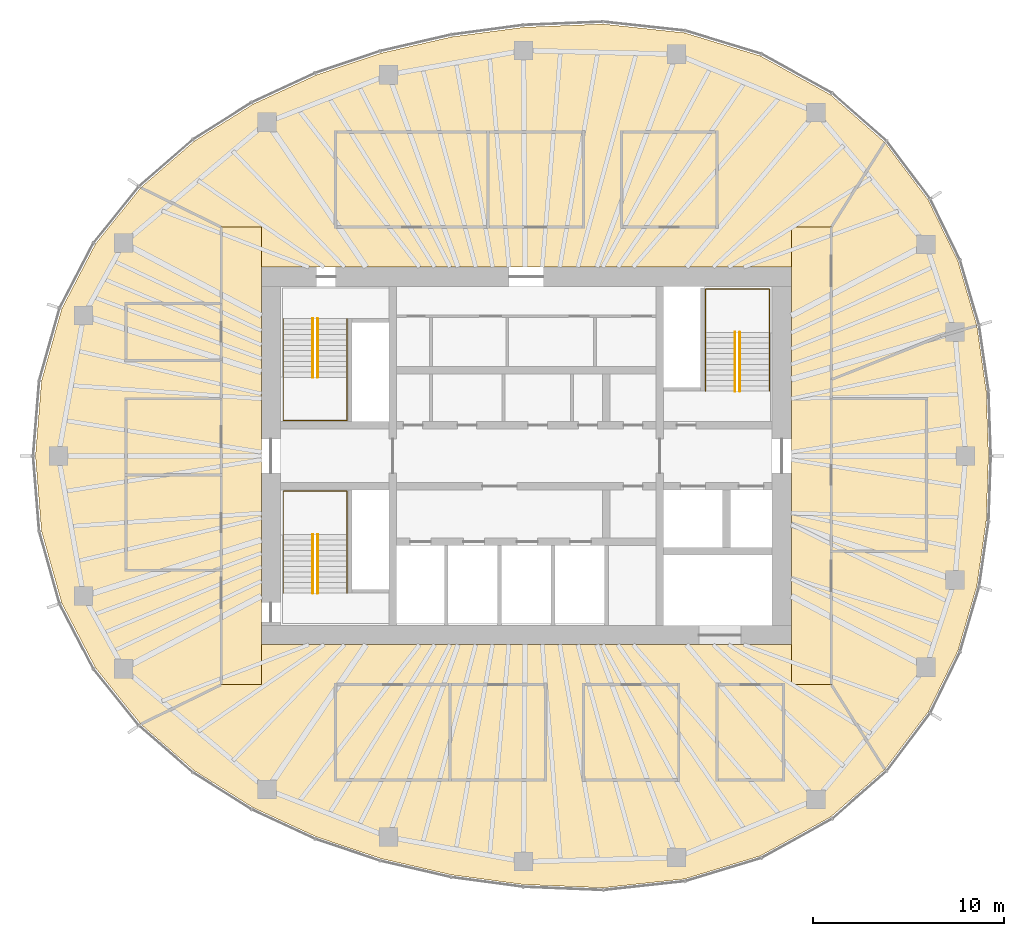
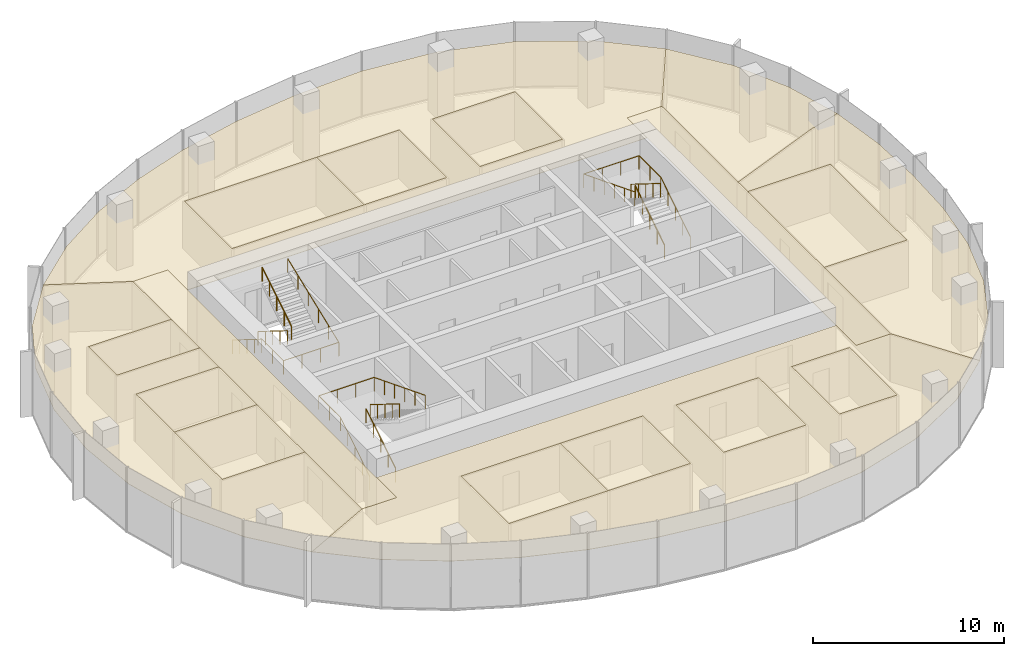
# One storey, part 11 of 11: 18 coverings, 9 railings.
"""IFC4 building model written with IfcOpenShell, lengths in metres."""

from ifc_helpers import new_model, si_unit, direction, frame, origin, origin_2d, place, context, subcontext, project, spatial, polyline, circle, outline, extrude, material, layer, layer_set, type_object, element, save


model = new_model("IFC4")

# Units and contexts
model_context = context("Model", 3, precision=1e-05, world=origin(), true_north=direction((0.0, 1.0)))
body_context = subcontext(model_context, "Body", "Model", "MODEL_VIEW")
ifc_project = project(units=[si_unit("LENGTHUNIT", "METRE"), si_unit("AREAUNIT", "SQUARE_METRE"), si_unit("VOLUMEUNIT", "CUBIC_METRE"), si_unit("PLANEANGLEUNIT", "RADIAN"), si_unit("MASSUNIT", "GRAM", prefix="KILO")], contexts=[model_context])

# Site, building, storey
site_placement = place(None, origin())
site = spatial("IfcSite", under=ifc_project, at=site_placement, CompositionType="ELEMENT")
building_placement = place(site_placement, origin())
building = spatial("IfcBuilding", under=site, at=building_placement, Name="Ghaith Harvest Tower", CompositionType="ELEMENT")
storey_placement = place(building_placement, frame((0.0, 0.0, 330.0)))
storey = spatial("IfcBuildingStorey", under=building, at=storey_placement, Name="L74", CompositionType="ELEMENT", Elevation=330.0)

# Coverings
ifc_material_1 = material(Name="Mineral fibre ceiling tile", Category="gypsum")
ifc_layer = layer(ifc_material_1, 0.02490234375)
ifc_layer_set = layer_set([ifc_layer], Name="CEILING C2")
covering_type = type_object("IfcCoveringType", Name="CEILING C2", PredefinedType="CEILING", material=ifc_layer_set)
covering_1_placement = place(storey_placement, frame((0.0, 0.0, 3.0)))
element("IfcCovering", 1, at=covering_1_placement, inside=storey, type_object=covering_type, Name="Ceiling L74-01", PredefinedType="CEILING", context=body_context, shape_type="SweptSolid", body=[
    extrude(outline(polyline([(-10.0, 12.0), (-2.0, 12.0), (-2.0, 17.0), (-10.0, 17.0), (-10.0, 12.0)])), origin(), (0.0, 0.0, 1.0), 0.02490234375),
])
covering_2_placement = place(storey_placement, frame((0.0, 0.0, 3.0)))
element("IfcCovering", 2, at=covering_2_placement, inside=storey, type_object=covering_type, Name="Ceiling L74-02", PredefinedType="CEILING", context=body_context, shape_type="SweptSolid", body=[
    extrude(outline(polyline([(-2.0, 12.0), (3.0, 12.0), (3.0, 17.0), (-2.0, 17.0), (-2.0, 12.0)])), origin(), (0.0, 0.0, 1.0), 0.02490234375),
])
covering_3_placement = place(storey_placement, frame((0.0, 0.0, 3.0)))
element("IfcCovering", 3, at=covering_3_placement, inside=storey, type_object=covering_type, Name="Ceiling L74-03", PredefinedType="CEILING", context=body_context, shape_type="SweptSolid", body=[
    extrude(outline(polyline([(5.0, 12.0), (10.0, 12.0), (10.0, 17.0), (5.0, 17.0), (5.0, 12.0)])), origin(), (0.0, 0.0, 1.0), 0.02490234375),
])
covering_4_placement = place(storey_placement, frame((0.0, 0.0, 3.0)))
element("IfcCovering", 4, at=covering_4_placement, inside=storey, type_object=covering_type, Name="Ceiling L74-04", PredefinedType="CEILING", context=body_context, shape_type="SweptSolid", body=[
    extrude(outline(polyline([(-10.0, -17.0), (-4.0, -17.0), (-4.0, -12.0), (-10.0, -12.0), (-10.0, -17.0)])), origin(), (0.0, 0.0, 1.0), 0.02490234375),
])
covering_5_placement = place(storey_placement, frame((0.0, 0.0, 3.0)))
element("IfcCovering", 5, at=covering_5_placement, inside=storey, type_object=covering_type, Name="Ceiling L74-05", PredefinedType="CEILING", context=body_context, shape_type="SweptSolid", body=[
    extrude(outline(polyline([(-4.0, -17.0), (1.0, -17.0), (1.0, -12.0), (-4.0, -12.0), (-4.0, -17.0)])), origin(), (0.0, 0.0, 1.0), 0.02490234375),
])
covering_6_placement = place(storey_placement, frame((0.0, 0.0, 3.0)))
element("IfcCovering", 6, at=covering_6_placement, inside=storey, type_object=covering_type, Name="Ceiling L74-06", PredefinedType="CEILING", context=body_context, shape_type="SweptSolid", body=[
    extrude(outline(polyline([(3.0, -17.0), (8.0, -17.0), (8.0, -12.0), (3.0, -12.0), (3.0, -17.0)])), origin(), (0.0, 0.0, 1.0), 0.02490234375),
])
covering_7_placement = place(storey_placement, frame((0.0, 0.0, 3.0)))
element("IfcCovering", 7, at=covering_7_placement, inside=storey, type_object=covering_type, Name="Ceiling L74-07", PredefinedType="CEILING", context=body_context, shape_type="SweptSolid", body=[
    extrude(outline(polyline([(-21.0, -6.0), (-16.0, -6.0), (-16.0, -1.0), (-21.0, -1.0), (-21.0, -6.0)])), origin(), (0.0, 0.0, 1.0), 0.02490234375),
])
covering_8_placement = place(storey_placement, frame((0.0, 0.0, 3.0)))
element("IfcCovering", 8, at=covering_8_placement, inside=storey, type_object=covering_type, Name="Ceiling L74-08", PredefinedType="CEILING", context=body_context, shape_type="SweptSolid", body=[
    extrude(outline(polyline([(-21.0, -1.0), (-16.0, -1.0), (-16.0, 3.0), (-21.0, 3.0), (-21.0, -1.0)])), origin(), (0.0, 0.0, 1.0), 0.02490234375),
])
covering_9_placement = place(storey_placement, frame((0.0, 0.0, 3.0)))
element("IfcCovering", 9, at=covering_9_placement, inside=storey, type_object=covering_type, Name="Ceiling L74-09", PredefinedType="CEILING", context=body_context, shape_type="SweptSolid", body=[
    extrude(outline(polyline([(16.0, -5.0), (21.0, -5.0), (21.0, 3.0), (16.0, 3.0), (16.0, -5.0)])), origin(), (0.0, 0.0, 1.0), 0.02490234375),
])
covering_10_placement = place(storey_placement, frame((0.0, 0.0, 3.0)))
element("IfcCovering", 10, at=covering_10_placement, inside=storey, type_object=covering_type, Name="Ceiling L74-10", PredefinedType="CEILING", context=body_context, shape_type="SweptSolid", body=[
    extrude(outline(polyline([(10.0, -17.0), (13.5, -17.0), (13.5, -12.0), (10.0, -12.0), (10.0, -17.0)])), origin(), (0.0, 0.0, 1.0), 0.02490234375),
])
covering_11_placement = place(storey_placement, frame((0.0, 0.0, 3.0)))
element("IfcCovering", 11, at=covering_11_placement, inside=storey, type_object=covering_type, Name="Ceiling L74-11", PredefinedType="CEILING", context=body_context, shape_type="SweptSolid", body=[
    extrude(outline(polyline([(-21.0, 5.0), (-16.0, 5.0), (-16.0, 8.0), (-21.0, 8.0), (-21.0, 5.0)])), origin(), (0.0, 0.0, 1.0), 0.02490234375),
])
covering_12_placement = place(storey_placement, frame((0.0, 0.0, 3.0)))
element("IfcCovering", 12, at=covering_12_placement, inside=storey, type_object=covering_type, Name="Ceiling L74-C1", PredefinedType="CEILING", context=body_context, shape_type="SweptSolid", body=[
    extrude(outline(polyline([(13.89990234375, -12.0), (13.89990234375, 12.0), (16.0, 12.0), (16.0, -12.0), (13.89990234375, -12.0)])), origin(), (0.0, 0.0, 1.0), 0.02490234375),
])
covering_13_placement = place(storey_placement, frame((0.0, 0.0, 3.0)))
element("IfcCovering", 13, at=covering_13_placement, inside=storey, type_object=covering_type, Name="Ceiling L74-C2", PredefinedType="CEILING", context=body_context, shape_type="SweptSolid", body=[
    extrude(outline(polyline([(-13.89990234375, 12.0), (-13.89990234375, -12.0), (-16.0, -12.0), (-16.0, 12.0), (-13.89990234375, 12.0)])), origin(), (0.0, 0.0, 1.0), 0.02490234375),
])
covering_14_placement = place(storey_placement, frame((0.0, 0.0, 3.0)))
element("IfcCovering", 14, at=covering_14_placement, inside=storey, type_object=covering_type, Name="Ceiling L74-N1", PredefinedType="CEILING", context=body_context, shape_type="SweptSolid", body=[
    extrude(outline(polyline([(-17.40771484375, 16.518310546875), (-14.331298828125, 18.452880859375), (-11.009521484375, 19.98779296875), (-7.6298828125, 21.12548828125), (-3.92529296875, 21.98046875), (-0.15380859375, 22.486083984375), (4.016845703125, 22.658447265625), (8.2978515625, 22.1962890625), (12.273681640625, 20.98828125), (15.971923828125, 18.940185546875), (18.810791015625, 16.4482421875), (16.0, 12.0), (13.89990234375, 12.0), (13.89990234375, 9.89990234375), (-13.89990234375, 9.89990234375), (-13.89990234375, 12.0), (-16.0, 12.0), (-20.225830078125, 14.0732421875), (-17.40771484375, 16.518310546875)]), holes=[polyline([(3.0, 17.0), (-10.0, 17.0), (-10.0, 12.0), (3.0, 12.0), (3.0, 17.0)]), polyline([(5.0, 17.0), (5.0, 12.0), (10.0, 12.0), (10.0, 17.0), (5.0, 17.0)])]), origin(), (0.0, 0.0, 1.0), 0.02490234375),
])
covering_15_placement = place(storey_placement, frame((0.0, 0.0, 3.0)))
element("IfcCovering", 15, at=covering_15_placement, inside=storey, type_object=covering_type, Name="Ceiling L74-E1", PredefinedType="CEILING", context=body_context, shape_type="SweptSolid", body=[
    extrude(outline(polyline([(21.087890625, 13.42041015625), (22.644775390625, 10.222900390625), (23.6376953125, 6.831787109375), (21.71630859375, 6.276611328125), (16.0, 4.0), (16.0, 12.0), (18.810791015625, 16.4482421875), (21.087890625, 13.42041015625)])), origin(), (0.0, 0.0, 1.0), 0.02490234375),
])
covering_16_placement = place(storey_placement, frame((0.0, 0.0, 3.0)))
element("IfcCovering", 16, at=covering_16_placement, inside=storey, type_object=covering_type, Name="Ceiling L74-E2", PredefinedType="CEILING", context=body_context, shape_type="SweptSolid", body=[
    extrude(outline(polyline([(23.6376953125, 6.831787109375), (23.6376953125, 6.831787109375), (24.129150390625, 3.4169921875), (24.25, 0.0), (24.129150390625, -3.4169921875), (23.6376953125, -6.831787109375), (22.644775390625, -10.222900390625), (21.087890625, -13.42041015625), (18.810791015625, -16.4482421875), (16.0, -12.0), (16.0, -5.0), (21.0, -5.0), (21.0, 3.0), (16.0, 3.0), (16.0, 4.0), (21.71630859375, 6.276611328125), (23.6376953125, 6.831787109375)])), origin(), (0.0, 0.0, 1.0), 0.02490234375),
])
covering_17_placement = place(storey_placement, frame((0.0, 0.0, 3.0)))
element("IfcCovering", 17, at=covering_17_placement, inside=storey, type_object=covering_type, Name="Ceiling L74-S1", PredefinedType="CEILING", context=body_context, shape_type="SweptSolid", body=[
    extrude(outline(polyline([(-14.331298828125, -18.452880859375), (-17.40771484375, -16.518310546875), (-20.225830078125, -14.0732421875), (-16.0, -12.0), (-13.89990234375, -12.0), (-13.89990234375, -9.89990234375), (13.89990234375, -9.89990234375), (13.89990234375, -12.0), (16.0, -12.0), (18.810791015625, -16.4482421875), (15.971923828125, -18.940185546875), (12.273681640625, -20.98828125), (8.2978515625, -22.1962890625), (4.016845703125, -22.658447265625), (-0.15380859375, -22.486083984375), (-3.92529296875, -21.98046875), (-7.6298828125, -21.12548828125), (-11.009521484375, -19.98779296875), (-14.331298828125, -18.452880859375)]), holes=[polyline([(-10.0, -17.0), (1.0, -17.0), (1.0, -12.0), (-10.0, -12.0), (-10.0, -17.0)]), polyline([(3.0, -17.0), (8.0, -17.0), (8.0, -12.0), (3.0, -12.0), (3.0, -17.0)]), polyline([(10.0, -17.0), (13.5, -17.0), (13.5, -12.0), (10.0, -12.0), (10.0, -17.0)])]), origin(), (0.0, 0.0, 1.0), 0.02490234375),
])
covering_18_placement = place(storey_placement, frame((0.0, 0.0, 3.0)))
element("IfcCovering", 18, at=covering_18_placement, inside=storey, type_object=covering_type, Name="Ceiling L74-W1", PredefinedType="CEILING", context=body_context, shape_type="SweptSolid", body=[
    extrude(outline(polyline([(-22.5986328125, -11.12353515625), (-24.368408203125, -7.722900390625), (-25.43310546875, -3.93359375), (-25.75, 0.0), (-25.43310546875, 3.93359375), (-24.368408203125, 7.722900390625), (-22.5986328125, 11.12353515625), (-20.225830078125, 14.0732421875), (-16.0, 12.0), (-16.0, 8.0), (-21.0, 8.0), (-21.0, 5.0), (-16.0, 5.0), (-16.0, 3.0), (-21.0, 3.0), (-21.0, -6.0), (-16.0, -6.0), (-16.0, -12.0), (-20.225830078125, -14.0732421875), (-22.5986328125, -11.12353515625)])), origin(), (0.0, 0.0, 1.0), 0.02490234375),
])

# Railings
ifc_material_2 = material(Name="Steel, black powder-coated", Category="steel")
railing_type = type_object("IfcRailingType", Name="HANDRAIL HR1", PredefinedType="HANDRAIL", material=ifc_material_2)
railing_1_placement = place(storey_placement, frame((-11.199951171875, 7.199951171875, 0.175048828125)))
element("IfcRailing", 19, at=railing_1_placement, inside=storey, type_object=railing_type, Name="Handrail HR1 stair ST1 L74 flight 1 inner", PredefinedType="HANDRAIL", context=body_context, shape_type="SweptSolid", body=[
    extrude(circle(Radius=0.02392578125, at=origin_2d()), frame((0.0, 0.0, 0.8759765625), z_axis=(0.0, -0.847979421464, 0.530029150871), x_axis=(1.0, 0.0, 0.0)), (0.0, 0.0, 1.0), 3.632080078125),
    extrude(circle(Radius=0.02099609375, at=origin_2d()), origin(), (0.0, 0.0, 1.0), 0.851806640625),
    extrude(circle(Radius=0.02099609375, at=origin_2d()), frame((0.0, -0.77001953125, 0.481201171875)), (0.0, 0.0, 1.0), 0.851806640625),
    extrude(circle(Radius=0.02099609375, at=origin_2d()), frame((0.0, -1.5400390625, 0.96240234375)), (0.0, 0.0, 1.0), 0.851806640625),
    extrude(circle(Radius=0.02099609375, at=origin_2d()), frame((0.0, -2.309814453125, 1.44384765625)), (0.0, 0.0, 1.0), 0.851806640625),
    extrude(circle(Radius=0.02099609375, at=origin_2d()), frame((0.0, -3.079833984375, 1.925048828125)), (0.0, 0.0, 1.0), 0.851806640625),
])
railing_2_placement = place(storey_placement, frame((-10.949951171875, 4.1201171875, 2.27490234375)))
element("IfcRailing", 20, at=railing_2_placement, inside=storey, type_object=railing_type, Name="Handrail HR1 stair ST1 L74 flight 2 inner", PredefinedType="HANDRAIL", context=body_context, shape_type="SweptSolid", body=[
    extrude(circle(Radius=0.02392578125, at=origin_2d()), frame((0.0, 0.0, 0.8759765625), z_axis=(0.0, 0.847979421464, 0.530029150871), x_axis=(-1.0, 0.0, 0.0)), (0.0, 0.0, 1.0), 3.632080078125),
    extrude(circle(Radius=0.02099609375, at=origin_2d()), origin(), (0.0, 0.0, 1.0), 0.851806640625),
    extrude(circle(Radius=0.02099609375, at=origin_2d()), frame((0.0, 0.77001953125, 0.481201171875)), (0.0, 0.0, 1.0), 0.851806640625),
    extrude(circle(Radius=0.02099609375, at=origin_2d()), frame((0.0, 1.5400390625, 0.96240234375)), (0.0, 0.0, 1.0), 0.851806640625),
    extrude(circle(Radius=0.02099609375, at=origin_2d()), frame((0.0, 2.309814453125, 1.44384765625)), (0.0, 0.0, 1.0), 0.851806640625),
    extrude(circle(Radius=0.02099609375, at=origin_2d()), frame((0.0, 3.079833984375, 1.925048828125)), (0.0, 0.0, 1.0), 0.851806640625),
])
railing_3_placement = place(storey_placement, frame((-12.75, 7.199951171875, 0.175048828125)))
element("IfcRailing", 21, at=railing_3_placement, inside=storey, type_object=railing_type, Name="Handrail HR1 stair ST1 L74 wall side", PredefinedType="HANDRAIL", context=body_context, shape_type="SweptSolid", body=[
    extrude(circle(Radius=0.02392578125, at=origin_2d()), frame((0.0, 0.0, 0.8759765625), z_axis=(0.0, -0.847979421464, 0.530029150871), x_axis=(1.0, 0.0, 0.0)), (0.0, 0.0, 1.0), 3.632080078125),
    extrude(circle(Radius=0.02392578125, at=origin_2d()), frame((0.0, -3.079833984375, 2.80078125), z_axis=(0.0, -1.0, 0.0), x_axis=(1.0, 0.0, 0.0)), (0.0, 0.0, 1.0), 2.27001953125),
    extrude(circle(Radius=0.02392578125, at=origin_2d()), frame((0.0, -5.349853515625, 2.80078125), z_axis=(1.0, 0.0, 0.0), x_axis=(0.0, 1.0, 0.0)), (0.0, 0.0, 1.0), 3.35009765625),
    extrude(circle(Radius=0.02392578125, at=origin_2d()), frame((3.35009765625, -5.349853515625, 2.80078125), z_axis=(0.0, 0.930862461605, 0.365369781968), x_axis=(-1.0, 0.0, 0.0)), (0.0, 0.0, 1.0), 5.747314453125),
    extrude(circle(Radius=0.02099609375, at=origin_2d()), origin(), (0.0, 0.0, 1.0), 0.851806640625),
    extrude(circle(Radius=0.02099609375, at=origin_2d()), frame((0.0, -0.77001953125, 0.481201171875)), (0.0, 0.0, 1.0), 0.851806640625),
    extrude(circle(Radius=0.02099609375, at=origin_2d()), frame((0.0, -1.5400390625, 0.96240234375)), (0.0, 0.0, 1.0), 0.851806640625),
    extrude(circle(Radius=0.02099609375, at=origin_2d()), frame((0.0, -2.309814453125, 1.44384765625)), (0.0, 0.0, 1.0), 0.851806640625),
    extrude(circle(Radius=0.02099609375, at=origin_2d()), frame((0.0, -3.079833984375, 1.925048828125)), (0.0, 0.0, 1.0), 0.851806640625),
    extrude(circle(Radius=0.02099609375, at=origin_2d()), frame((0.0, -4.21484375, 1.925048828125)), (0.0, 0.0, 1.0), 0.851806640625),
    extrude(circle(Radius=0.02099609375, at=origin_2d()), frame((0.0, -5.349853515625, 1.925048828125)), (0.0, 0.0, 1.0), 0.851806640625),
    extrude(circle(Radius=0.02099609375, at=origin_2d()), frame((1.11669921875, -5.349853515625, 1.925048828125)), (0.0, 0.0, 1.0), 0.851806640625),
    extrude(circle(Radius=0.02099609375, at=origin_2d()), frame((2.2333984375, -5.349853515625, 1.925048828125)), (0.0, 0.0, 1.0), 0.851806640625),
    extrude(circle(Radius=0.02099609375, at=origin_2d()), frame((3.35009765625, -5.349853515625, 1.925048828125)), (0.0, 0.0, 1.0), 0.851806640625),
    extrude(circle(Radius=0.02099609375, at=origin_2d()), frame((3.35009765625, -4.27978515625, 2.344970703125)), (0.0, 0.0, 1.0), 0.851806640625),
    extrude(circle(Radius=0.02099609375, at=origin_2d()), frame((3.35009765625, -3.2099609375, 2.764892578125)), (0.0, 0.0, 1.0), 0.851806640625),
    extrude(circle(Radius=0.02099609375, at=origin_2d()), frame((3.35009765625, -2.139892578125, 3.18505859375)), (0.0, 0.0, 1.0), 0.851806640625),
    extrude(circle(Radius=0.02099609375, at=origin_2d()), frame((3.35009765625, -1.070068359375, 3.60498046875)), (0.0, 0.0, 1.0), 0.851806640625),
    extrude(circle(Radius=0.02099609375, at=origin_2d()), frame((3.35009765625, 0.0, 4.02490234375)), (0.0, 0.0, 1.0), 0.851806640625),
])
railing_4_placement = place(storey_placement, frame((-11.199951171875, -7.199951171875, 0.175048828125)))
element("IfcRailing", 22, at=railing_4_placement, inside=storey, type_object=railing_type, Name="Handrail HR1 stair ST3 L74 flight 1 inner", PredefinedType="HANDRAIL", context=body_context, shape_type="SweptSolid", body=[
    extrude(circle(Radius=0.02392578125, at=origin_2d()), frame((0.0, 0.0, 0.8759765625), z_axis=(0.0, 0.847979421464, 0.530029150871), x_axis=(-1.0, 0.0, 0.0)), (0.0, 0.0, 1.0), 3.632080078125),
    extrude(circle(Radius=0.02099609375, at=origin_2d()), origin(), (0.0, 0.0, 1.0), 0.851806640625),
    extrude(circle(Radius=0.02099609375, at=origin_2d()), frame((0.0, 0.77001953125, 0.481201171875)), (0.0, 0.0, 1.0), 0.851806640625),
    extrude(circle(Radius=0.02099609375, at=origin_2d()), frame((0.0, 1.5400390625, 0.96240234375)), (0.0, 0.0, 1.0), 0.851806640625),
    extrude(circle(Radius=0.02099609375, at=origin_2d()), frame((0.0, 2.309814453125, 1.44384765625)), (0.0, 0.0, 1.0), 0.851806640625),
    extrude(circle(Radius=0.02099609375, at=origin_2d()), frame((0.0, 3.079833984375, 1.925048828125)), (0.0, 0.0, 1.0), 0.851806640625),
])
railing_5_placement = place(storey_placement, frame((-10.949951171875, -4.1201171875, 2.27490234375)))
element("IfcRailing", 23, at=railing_5_placement, inside=storey, type_object=railing_type, Name="Handrail HR1 stair ST3 L74 flight 2 inner", PredefinedType="HANDRAIL", context=body_context, shape_type="SweptSolid", body=[
    extrude(circle(Radius=0.02392578125, at=origin_2d()), frame((0.0, 0.0, 0.8759765625), z_axis=(0.0, -0.847979421464, 0.530029150871), x_axis=(1.0, 0.0, 0.0)), (0.0, 0.0, 1.0), 3.632080078125),
    extrude(circle(Radius=0.02099609375, at=origin_2d()), origin(), (0.0, 0.0, 1.0), 0.851806640625),
    extrude(circle(Radius=0.02099609375, at=origin_2d()), frame((0.0, -0.77001953125, 0.481201171875)), (0.0, 0.0, 1.0), 0.851806640625),
    extrude(circle(Radius=0.02099609375, at=origin_2d()), frame((0.0, -1.5400390625, 0.96240234375)), (0.0, 0.0, 1.0), 0.851806640625),
    extrude(circle(Radius=0.02099609375, at=origin_2d()), frame((0.0, -2.309814453125, 1.44384765625)), (0.0, 0.0, 1.0), 0.851806640625),
    extrude(circle(Radius=0.02099609375, at=origin_2d()), frame((0.0, -3.079833984375, 1.925048828125)), (0.0, 0.0, 1.0), 0.851806640625),
])
railing_6_placement = place(storey_placement, frame((-12.75, -7.199951171875, 0.175048828125)))
element("IfcRailing", 24, at=railing_6_placement, inside=storey, type_object=railing_type, Name="Handrail HR1 stair ST3 L74 wall side", PredefinedType="HANDRAIL", context=body_context, shape_type="SweptSolid", body=[
    extrude(circle(Radius=0.02392578125, at=origin_2d()), frame((0.0, 0.0, 0.8759765625), z_axis=(0.0, 0.847979421464, 0.530029150871), x_axis=(-1.0, 0.0, 0.0)), (0.0, 0.0, 1.0), 3.632080078125),
    extrude(circle(Radius=0.02392578125, at=origin_2d()), frame((0.0, 3.079833984375, 2.80078125), z_axis=(0.0, 1.0, 0.0), x_axis=(-1.0, 0.0, 0.0)), (0.0, 0.0, 1.0), 2.27001953125),
    extrude(circle(Radius=0.02392578125, at=origin_2d()), frame((0.0, 5.349853515625, 2.80078125), z_axis=(1.0, 0.0, 0.0), x_axis=(0.0, 1.0, 0.0)), (0.0, 0.0, 1.0), 3.35009765625),
    extrude(circle(Radius=0.02392578125, at=origin_2d()), frame((3.35009765625, 5.349853515625, 2.80078125), z_axis=(0.0, -0.930862461605, 0.365369781968), x_axis=(1.0, 0.0, 0.0)), (0.0, 0.0, 1.0), 5.747314453125),
    extrude(circle(Radius=0.02099609375, at=origin_2d()), origin(), (0.0, 0.0, 1.0), 0.851806640625),
    extrude(circle(Radius=0.02099609375, at=origin_2d()), frame((0.0, 0.77001953125, 0.481201171875)), (0.0, 0.0, 1.0), 0.851806640625),
    extrude(circle(Radius=0.02099609375, at=origin_2d()), frame((0.0, 1.5400390625, 0.96240234375)), (0.0, 0.0, 1.0), 0.851806640625),
    extrude(circle(Radius=0.02099609375, at=origin_2d()), frame((0.0, 2.309814453125, 1.44384765625)), (0.0, 0.0, 1.0), 0.851806640625),
    extrude(circle(Radius=0.02099609375, at=origin_2d()), frame((0.0, 3.079833984375, 1.925048828125)), (0.0, 0.0, 1.0), 0.851806640625),
    extrude(circle(Radius=0.02099609375, at=origin_2d()), frame((0.0, 4.21484375, 1.925048828125)), (0.0, 0.0, 1.0), 0.851806640625),
    extrude(circle(Radius=0.02099609375, at=origin_2d()), frame((0.0, 5.349853515625, 1.925048828125)), (0.0, 0.0, 1.0), 0.851806640625),
    extrude(circle(Radius=0.02099609375, at=origin_2d()), frame((1.11669921875, 5.349853515625, 1.925048828125)), (0.0, 0.0, 1.0), 0.851806640625),
    extrude(circle(Radius=0.02099609375, at=origin_2d()), frame((2.2333984375, 5.349853515625, 1.925048828125)), (0.0, 0.0, 1.0), 0.851806640625),
    extrude(circle(Radius=0.02099609375, at=origin_2d()), frame((3.35009765625, 5.349853515625, 1.925048828125)), (0.0, 0.0, 1.0), 0.851806640625),
    extrude(circle(Radius=0.02099609375, at=origin_2d()), frame((3.35009765625, 4.27978515625, 2.344970703125)), (0.0, 0.0, 1.0), 0.851806640625),
    extrude(circle(Radius=0.02099609375, at=origin_2d()), frame((3.35009765625, 3.2099609375, 2.764892578125)), (0.0, 0.0, 1.0), 0.851806640625),
    extrude(circle(Radius=0.02099609375, at=origin_2d()), frame((3.35009765625, 2.139892578125, 3.18505859375)), (0.0, 0.0, 1.0), 0.851806640625),
    extrude(circle(Radius=0.02099609375, at=origin_2d()), frame((3.35009765625, 1.070068359375, 3.60498046875)), (0.0, 0.0, 1.0), 0.851806640625),
    extrude(circle(Radius=0.02099609375, at=origin_2d()), frame((3.35009765625, 0.0, 4.02490234375)), (0.0, 0.0, 1.0), 0.851806640625),
])
railing_7_placement = place(storey_placement, frame((11.199951171875, 3.39990234375, 0.175048828125)))
element("IfcRailing", 25, at=railing_7_placement, inside=storey, type_object=railing_type, Name="Handrail HR1 stair ST2 L74 flight 1 inner", PredefinedType="HANDRAIL", context=body_context, shape_type="SweptSolid", body=[
    extrude(circle(Radius=0.02392578125, at=origin_2d()), frame((0.0, 0.0, 0.8759765625), z_axis=(0.0, 0.847998304005, 0.529998940003), x_axis=(-1.0, 0.0, 0.0)), (0.0, 0.0, 1.0), 3.632080078125),
    extrude(circle(Radius=0.02099609375, at=origin_2d()), origin(), (0.0, 0.0, 1.0), 0.851806640625),
    extrude(circle(Radius=0.02099609375, at=origin_2d()), frame((0.0, 0.77001953125, 0.481201171875)), (0.0, 0.0, 1.0), 0.851806640625),
    extrude(circle(Radius=0.02099609375, at=origin_2d()), frame((0.0, 1.5400390625, 0.96240234375)), (0.0, 0.0, 1.0), 0.851806640625),
    extrude(circle(Radius=0.02099609375, at=origin_2d()), frame((0.0, 2.31005859375, 1.44384765625)), (0.0, 0.0, 1.0), 0.851806640625),
    extrude(circle(Radius=0.02099609375, at=origin_2d()), frame((0.0, 3.080078125, 1.925048828125)), (0.0, 0.0, 1.0), 0.851806640625),
])
railing_8_placement = place(storey_placement, frame((10.949951171875, 6.47998046875, 2.27490234375)))
element("IfcRailing", 26, at=railing_8_placement, inside=storey, type_object=railing_type, Name="Handrail HR1 stair ST2 L74 flight 2 inner", PredefinedType="HANDRAIL", context=body_context, shape_type="SweptSolid", body=[
    extrude(circle(Radius=0.02392578125, at=origin_2d()), frame((0.0, 0.0, 0.8759765625), z_axis=(0.0, -0.847998304005, 0.529998940003), x_axis=(1.0, 0.0, 0.0)), (0.0, 0.0, 1.0), 3.632080078125),
    extrude(circle(Radius=0.02099609375, at=origin_2d()), origin(), (0.0, 0.0, 1.0), 0.851806640625),
    extrude(circle(Radius=0.02099609375, at=origin_2d()), frame((0.0, -0.77001953125, 0.481201171875)), (0.0, 0.0, 1.0), 0.851806640625),
    extrude(circle(Radius=0.02099609375, at=origin_2d()), frame((0.0, -1.5400390625, 0.96240234375)), (0.0, 0.0, 1.0), 0.851806640625),
    extrude(circle(Radius=0.02099609375, at=origin_2d()), frame((0.0, -2.31005859375, 1.44384765625)), (0.0, 0.0, 1.0), 0.851806640625),
    extrude(circle(Radius=0.02099609375, at=origin_2d()), frame((0.0, -3.080078125, 1.925048828125)), (0.0, 0.0, 1.0), 0.851806640625),
])
railing_9_placement = place(storey_placement, frame((12.75, 3.39990234375, 0.175048828125)))
element("IfcRailing", 27, at=railing_9_placement, inside=storey, type_object=railing_type, Name="Handrail HR1 stair ST2 L74 wall side", PredefinedType="HANDRAIL", context=body_context, shape_type="SweptSolid", body=[
    extrude(circle(Radius=0.02392578125, at=origin_2d()), frame((0.0, 0.0, 0.8759765625), z_axis=(0.0, 0.847998304005, 0.529998940003), x_axis=(-1.0, 0.0, 0.0)), (0.0, 0.0, 1.0), 3.632080078125),
    extrude(circle(Radius=0.02392578125, at=origin_2d()), frame((0.0, 3.080078125, 2.80078125), z_axis=(0.0, 1.0, 0.0), x_axis=(-1.0, 0.0, 0.0)), (0.0, 0.0, 1.0), 2.27001953125),
    extrude(circle(Radius=0.02392578125, at=origin_2d()), frame((0.0, 5.35009765625, 2.80078125), z_axis=(-1.0, 0.0, 0.0), x_axis=(0.0, -1.0, 0.0)), (0.0, 0.0, 1.0), 3.35009765625),
    extrude(circle(Radius=0.02392578125, at=origin_2d()), frame((-3.35009765625, 5.35009765625, 2.80078125), z_axis=(0.0, -0.930868132128, 0.365355334692), x_axis=(1.0, 0.0, 0.0)), (0.0, 0.0, 1.0), 5.747314453125),
    extrude(circle(Radius=0.02099609375, at=origin_2d()), origin(), (0.0, 0.0, 1.0), 0.851806640625),
    extrude(circle(Radius=0.02099609375, at=origin_2d()), frame((0.0, 0.77001953125, 0.481201171875)), (0.0, 0.0, 1.0), 0.851806640625),
    extrude(circle(Radius=0.02099609375, at=origin_2d()), frame((0.0, 1.5400390625, 0.96240234375)), (0.0, 0.0, 1.0), 0.851806640625),
    extrude(circle(Radius=0.02099609375, at=origin_2d()), frame((0.0, 2.31005859375, 1.44384765625)), (0.0, 0.0, 1.0), 0.851806640625),
    extrude(circle(Radius=0.02099609375, at=origin_2d()), frame((0.0, 3.080078125, 1.925048828125)), (0.0, 0.0, 1.0), 0.851806640625),
    extrude(circle(Radius=0.02099609375, at=origin_2d()), frame((0.0, 4.215087890625, 1.925048828125)), (0.0, 0.0, 1.0), 0.851806640625),
    extrude(circle(Radius=0.02099609375, at=origin_2d()), frame((0.0, 5.35009765625, 1.925048828125)), (0.0, 0.0, 1.0), 0.851806640625),
    extrude(circle(Radius=0.02099609375, at=origin_2d()), frame((-1.11669921875, 5.35009765625, 1.925048828125)), (0.0, 0.0, 1.0), 0.851806640625),
    extrude(circle(Radius=0.02099609375, at=origin_2d()), frame((-2.2333984375, 5.35009765625, 1.925048828125)), (0.0, 0.0, 1.0), 0.851806640625),
    extrude(circle(Radius=0.02099609375, at=origin_2d()), frame((-3.35009765625, 5.35009765625, 1.925048828125)), (0.0, 0.0, 1.0), 0.851806640625),
    extrude(circle(Radius=0.02099609375, at=origin_2d()), frame((-3.35009765625, 4.280029296875, 2.344970703125)), (0.0, 0.0, 1.0), 0.851806640625),
    extrude(circle(Radius=0.02099609375, at=origin_2d()), frame((-3.35009765625, 3.2099609375, 2.764892578125)), (0.0, 0.0, 1.0), 0.851806640625),
    extrude(circle(Radius=0.02099609375, at=origin_2d()), frame((-3.35009765625, 2.14013671875, 3.18505859375)), (0.0, 0.0, 1.0), 0.851806640625),
    extrude(circle(Radius=0.02099609375, at=origin_2d()), frame((-3.35009765625, 1.070068359375, 3.60498046875)), (0.0, 0.0, 1.0), 0.851806640625),
    extrude(circle(Radius=0.02099609375, at=origin_2d()), frame((-3.35009765625, 0.0, 4.02490234375)), (0.0, 0.0, 1.0), 0.851806640625),
])

save(model, "model.ifc")
